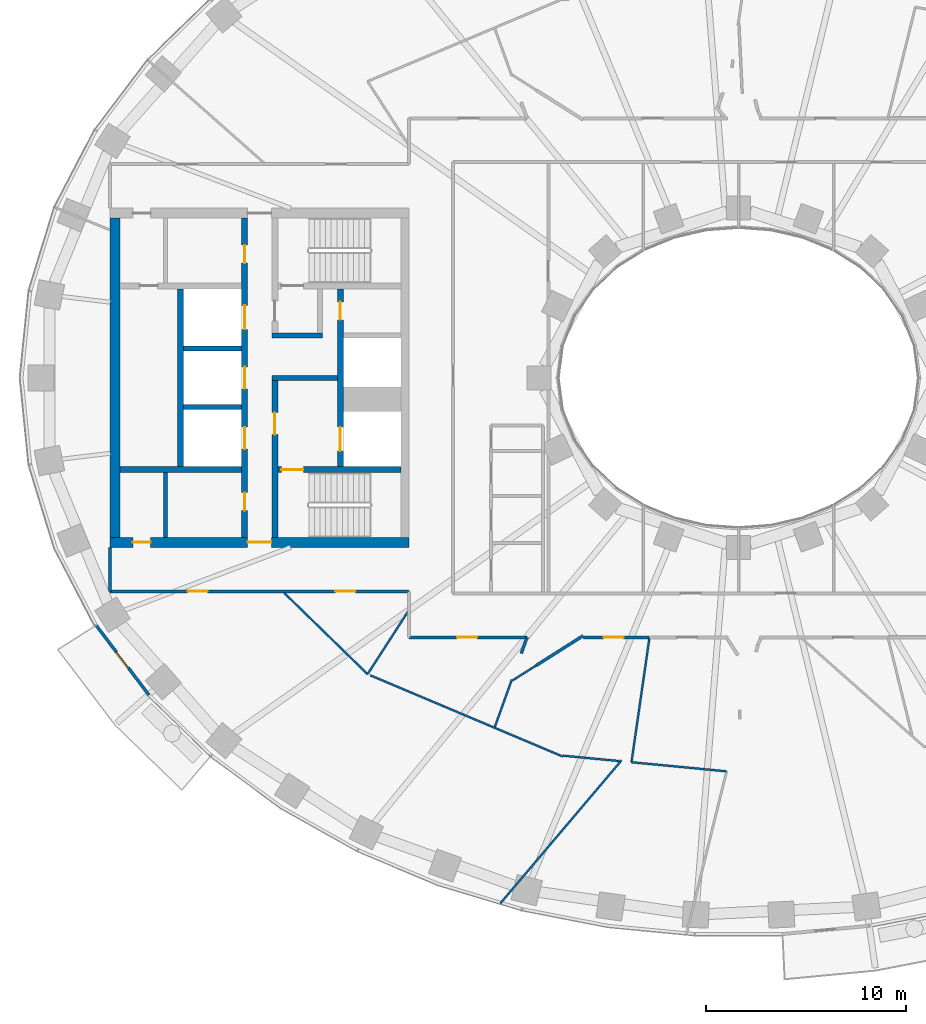
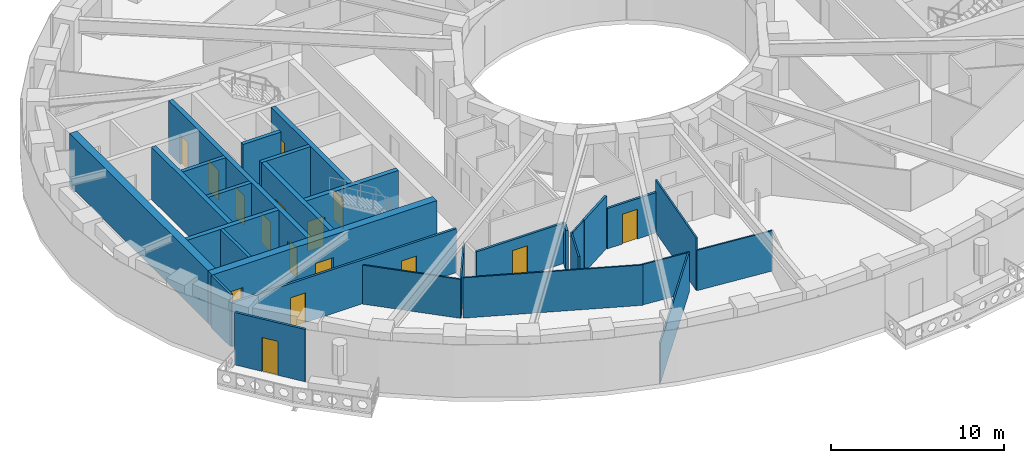
# One storey, part 3 of 16: 29 walls, 16 doors, 16 openings.
"""IFC4 building model written with IfcOpenShell, lengths in metres."""

from ifc_helpers import new_model, si_unit, direction, frame, frame_2d, origin, place, context, subcontext, project, spatial, rectangle, extrude, material, layer, layer_set, type_object, element, fill, save


model = new_model("IFC4")

# Units and contexts
model_context = context("Model", 3, precision=1e-05, world=origin(), true_north=direction((0.0, 1.0)))
body_context = subcontext(model_context, "Body", "Model", "MODEL_VIEW")
ifc_project = project(units=[si_unit("LENGTHUNIT", "METRE"), si_unit("AREAUNIT", "SQUARE_METRE"), si_unit("VOLUMEUNIT", "CUBIC_METRE"), si_unit("PLANEANGLEUNIT", "RADIAN"), si_unit("MASSUNIT", "GRAM", prefix="KILO")], contexts=[model_context])

# Site, building, storey
site_placement = place(None, origin())
site = spatial("IfcSite", under=ifc_project, at=site_placement, CompositionType="ELEMENT")
building_placement = place(site_placement, origin())
building = spatial("IfcBuilding", under=site, at=building_placement, Name="Noorbagh Ring Tower", CompositionType="ELEMENT")
storey_placement = place(building_placement, frame((0.0, 0.0, 96.0)))
storey = spatial("IfcBuildingStorey", under=building, at=storey_placement, Name="L21", CompositionType="ELEMENT", Elevation=96.0)

# Walls
ifc_material_1 = material(Name="Gypsum board on steel studs", Category="steel")
ifc_layer_1 = layer(ifc_material_1, 0.199951171875)
ifc_layer_set_1 = layer_set([ifc_layer_1], Name="Gypsum board on steel studs")
wall_type_1 = type_object("IfcWallType", Name="CORE-PARTITION-200", PredefinedType="PARTITIONING", material=ifc_layer_set_1)
wall_1_placement = place(storey_placement, frame((-28.699951171875, -8.0, 0.0), z_axis=(0.0, 0.0, 1.0), x_axis=(0.0, 1.0, 0.0)))
element("IfcWall", 1, at=wall_1_placement, inside=storey, type_object=wall_type_1, Name="Core partition W", PredefinedType="PARTITIONING", context=body_context, shape_type="SweptSolid", body=[
    extrude(rectangle(XDim=3.25, YDim=0.199951171875, at=frame_2d((1.625, 0.0))), origin(), (0.0, 0.0, 1.0), 3.699951171875),
])
ifc_material_2 = material(Name="Concrete C70/85", Category="concrete")
ifc_layer_2 = layer(ifc_material_2, 0.25)
ifc_layer_set_2 = layer_set([ifc_layer_2], Name="Concrete C70/85")
wall_type_2 = type_object("IfcWallType", Name="CORE-WALL-250-C70-85-EI120", PredefinedType="SHEAR", material=ifc_layer_set_2)
for number, where, z_axis, x_axis, name in (
    (2, (-24.89990234375, -1.47509765625, 0.0), (0.0, 0.0, 1.0), (-1.0, 0.0, 0.0), "Core wall W"),
    (3, (-24.89990234375, 1.47509765625, 0.0), (0.0, 0.0, 1.0), (-1.0, 0.0, 0.0), "Core wall W"),
):
    element("IfcWall", number, at=place(storey_placement, frame(where, z_axis=z_axis, x_axis=x_axis)), inside=storey, type_object=wall_type_2, Name=name, PredefinedType="SHEAR", context=body_context, shape_type="SweptSolid", body=[
        extrude(rectangle(XDim=2.900146484375, YDim=0.25, at=frame_2d((1.4501953125, 0.0))), origin(), (0.0, 0.0, 1.0), 3.699951171875),
    ])
ifc_material_3 = material(Name="Concrete C70/85", Category="concrete")
ifc_layer_3 = layer(ifc_material_3, 0.25)
ifc_layer_set_3 = layer_set([ifc_layer_3], Name="Concrete C70/85")
wall_type_3 = type_object("IfcWallType", Name="CORE-WALL-250-C70-85-EI240", PredefinedType="SHEAR", material=ifc_layer_set_3)
wall_2_placement = place(storey_placement, frame((-20.10009765625, 0.0, 0.0), z_axis=(0.0, 0.0, 1.0), x_axis=(-1.0, 0.0, 0.0)))
element("IfcWall", 4, at=wall_2_placement, inside=storey, type_object=wall_type_3, Name="Core wall W", PredefinedType="SHEAR", context=body_context, shape_type="SweptSolid", body=[
    extrude(rectangle(XDim=3.27978515625, YDim=0.25, at=frame_2d((1.639892578125, 0.0))), origin(), (0.0, 0.0, 1.0), 3.699951171875),
])
wall_3_placement = place(storey_placement, frame((-20.85009765625, 2.125, 0.0), z_axis=(0.0, 0.0, 1.0), x_axis=(-1.0, 0.0, 0.0)))
element("IfcWall", 5, at=wall_3_placement, inside=storey, type_object=wall_type_3, Name="Core wall W", PredefinedType="SHEAR", context=body_context, shape_type="SweptSolid", body=[
    extrude(rectangle(XDim=2.52978515625, YDim=0.25, at=frame_2d((1.264892578125, 0.0))), origin(), (0.0, 0.0, 1.0), 3.699951171875),
])
ifc_material_4 = material(Name="Concrete C70/85", Category="concrete")
ifc_layer_4 = layer(ifc_material_4, 0.300048828125)
ifc_layer_set_4 = layer_set([ifc_layer_4], Name="Concrete C70/85")
wall_type_4 = type_object("IfcWallType", Name="CORE-WALL-300-C70-85-EI120", PredefinedType="SHEAR", material=ifc_layer_set_4)
wall_4_placement = place(storey_placement, frame((-27.949951171875, -4.449951171875, 0.0), z_axis=(0.0, 0.0, 1.0), x_axis=(0.0, 1.0, 0.0)))
element("IfcWall", 6, at=wall_4_placement, inside=storey, type_object=wall_type_4, Name="Core wall W", PredefinedType="SHEAR", context=body_context, shape_type="SweptSolid", body=[
    extrude(rectangle(XDim=8.89990234375, YDim=0.300048828125, at=frame_2d((4.449951171875, 0.0))), origin(), (0.0, 0.0, 1.0), 3.699951171875),
])

# Wall, openings, doors
wall_5_placement = place(storey_placement, frame((-19.949951171875, -4.449951171875, 0.0), z_axis=(0.0, 0.0, 1.0), x_axis=(0.0, 1.0, 0.0)))
wall_5 = element("IfcWall", 7, at=wall_5_placement, inside=storey, type_object=wall_type_4, Name="Core wall W", PredefinedType="SHEAR", context=body_context, shape_type="SweptSolid", body=[
    extrude(rectangle(XDim=8.89990234375, YDim=0.300048828125, at=frame_2d((4.449951171875, 0.0))), origin(), (0.0, 0.0, 1.0), 3.699951171875),
])
opening_1_placement = place(wall_5_placement, frame((0.77490234375, 0.0, 0.0)))
opening_1 = element("IfcOpeningElement", 8, at=opening_1_placement, cuts=wall_5, Name="Opening L21-CW01", PredefinedType="OPENING", context=body_context, shape_type="SweptSolid", body=[
    extrude(rectangle(XDim=1.199951171875, YDim=2.10009765625, at=frame_2d((0.60009765625, 1.050048828125))), frame((0.0, 0.16015625, 0.0), z_axis=(0.0, -1.0, 0.0), x_axis=(1.0, 0.0, 0.0)), (0.0, 0.0, 1.0), 0.320068359375),
])
opening_2_placement = place(wall_5_placement, frame((7.35009765625, 0.0, 0.0)))
opening_2 = element("IfcOpeningElement", 9, at=opening_2_placement, cuts=wall_5, Name="Opening L21-CW11", PredefinedType="OPENING", context=body_context, shape_type="SweptSolid", body=[
    extrude(rectangle(XDim=0.89990234375, YDim=2.10009765625, at=frame_2d((0.449951171875, 1.050048828125))), frame((0.0, 0.16015625, 0.0), z_axis=(0.0, -1.0, 0.0), x_axis=(1.0, 0.0, 0.0)), (0.0, 0.0, 1.0), 0.320068359375),
])
ifc_material_5 = material(Name="Steel door leaf", Category="steel")
door_type_1 = type_object("IfcDoorType", Name="CORE-DOOR-DROOM", OperationType="SINGLE_SWING_LEFT", PredefinedType="DOOR", material=ifc_material_5)
door_1_placement = place(opening_2_placement, origin())
door_1 = element("IfcDoor", 10, at=door_1_placement, inside=storey, type_object=door_type_1, Name="Core room door L21-CW11", OperationType="SINGLE_SWING_LEFT", OverallHeight=2.10009765625, OverallWidth=0.89990234375, PredefinedType="DOOR", context=body_context, shape_type="SweptSolid", body=[
    extrude(rectangle(XDim=0.89990234375, YDim=2.10009765625, at=frame_2d((0.449951171875, 1.050048828125))), frame((0.0, 0.02490234375, 0.0), z_axis=(0.0, -1.0, 0.0), x_axis=(1.0, 0.0, 0.0)), (0.0, 0.0, 1.0), 0.050048828125),
])
fill(opening_2, door_1)
ifc_material_6 = material(Name="Steel door leaf", Category="steel")
door_type_2 = type_object("IfcDoorType", Name="CORE-DOOR-LDW", OperationType="DOUBLE_DOOR_SLIDING", PredefinedType="DOOR", material=ifc_material_6)
door_2_placement = place(opening_1_placement, origin())
door_2 = element("IfcDoor", 11, at=door_2_placement, inside=storey, type_object=door_type_2, Name="Landing door FF1 L21-CW01", OperationType="DOUBLE_DOOR_SLIDING", OverallHeight=2.10009765625, OverallWidth=1.199951171875, PredefinedType="DOOR", context=body_context, shape_type="SweptSolid", body=[
    extrude(rectangle(XDim=1.199951171875, YDim=2.10009765625, at=frame_2d((0.60009765625, 1.050048828125))), frame((0.0, 0.02490234375, 0.0), z_axis=(0.0, -1.0, 0.0), x_axis=(1.0, 0.0, 0.0)), (0.0, 0.0, 1.0), 0.050048828125),
])
fill(opening_1, door_2)

wall_6_placement = place(storey_placement, frame((-24.75, -8.0, 0.0), z_axis=(0.0, 0.0, 1.0), x_axis=(0.0, 1.0, 0.0)))
wall_6 = element("IfcWall", 12, at=wall_6_placement, inside=storey, type_object=wall_type_4, Name="Core wall W", PredefinedType="SHEAR", context=body_context, shape_type="SweptSolid", body=[
    extrude(rectangle(XDim=16.0, YDim=0.300048828125, at=frame_2d((8.0, 0.0))), origin(), (0.0, 0.0, 1.0), 3.699951171875),
])
opening_3_placement = place(wall_6_placement, frame((4.425048828125, 0.0, 0.0)))
opening_3 = element("IfcOpeningElement", 13, at=opening_3_placement, cuts=wall_6, Name="Opening L21-CW02", PredefinedType="OPENING", context=body_context, shape_type="SweptSolid", body=[
    extrude(rectangle(XDim=1.10009765625, YDim=2.10009765625, at=frame_2d((0.550048828125, 1.050048828125))), frame((0.0, 0.16015625, 0.0), z_axis=(0.0, -1.0, 0.0), x_axis=(1.0, 0.0, 0.0)), (0.0, 0.0, 1.0), 0.320068359375),
])
opening_4_placement = place(wall_6_placement, frame((7.449951171875, 0.0, 0.0)))
opening_4 = element("IfcOpeningElement", 14, at=opening_4_placement, cuts=wall_6, Name="Opening L21-CW03", PredefinedType="OPENING", context=body_context, shape_type="SweptSolid", body=[
    extrude(rectangle(XDim=1.10009765625, YDim=2.10009765625, at=frame_2d((0.550048828125, 1.050048828125))), frame((0.0, 0.16015625, 0.0), z_axis=(0.0, -1.0, 0.0), x_axis=(1.0, 0.0, 0.0)), (0.0, 0.0, 1.0), 0.320068359375),
])
opening_5_placement = place(wall_6_placement, frame((10.425048828125, 0.0, 0.0)))
opening_5 = element("IfcOpeningElement", 15, at=opening_5_placement, cuts=wall_6, Name="Opening L21-CW04", PredefinedType="OPENING", context=body_context, shape_type="SweptSolid", body=[
    extrude(rectangle(XDim=1.199951171875, YDim=2.10009765625, at=frame_2d((0.60009765625, 1.050048828125))), frame((0.0, 0.16015625, 0.0), z_axis=(0.0, -1.0, 0.0), x_axis=(1.0, 0.0, 0.0)), (0.0, 0.0, 1.0), 0.320068359375),
])
opening_6_placement = place(wall_6_placement, frame((13.75, 0.0, 0.0)))
opening_6 = element("IfcOpeningElement", 16, at=opening_6_placement, cuts=wall_6, Name="Opening L21-CW12", PredefinedType="OPENING", context=body_context, shape_type="SweptSolid", body=[
    extrude(rectangle(XDim=0.89990234375, YDim=2.10009765625, at=frame_2d((0.449951171875, 1.050048828125))), frame((0.0, 0.16015625, 0.0), z_axis=(0.0, -1.0, 0.0), x_axis=(1.0, 0.0, 0.0)), (0.0, 0.0, 1.0), 0.320068359375),
])
opening_7_placement = place(wall_6_placement, frame((1.35009765625, 0.0, 0.0)))
opening_7 = element("IfcOpeningElement", 17, at=opening_7_placement, cuts=wall_6, Name="Opening L21-CW14", PredefinedType="OPENING", context=body_context, shape_type="SweptSolid", body=[
    extrude(rectangle(XDim=0.89990234375, YDim=2.10009765625, at=frame_2d((0.449951171875, 1.050048828125))), frame((0.0, 0.16015625, 0.0), z_axis=(0.0, -1.0, 0.0), x_axis=(1.0, 0.0, 0.0)), (0.0, 0.0, 1.0), 0.320068359375),
])
door_3_placement = place(opening_6_placement, origin())
door_3 = element("IfcDoor", 18, at=door_3_placement, inside=storey, type_object=door_type_1, Name="Core room door L21-CW12", OperationType="SINGLE_SWING_RIGHT", OverallHeight=2.10009765625, OverallWidth=0.89990234375, PredefinedType="DOOR", context=body_context, shape_type="SweptSolid", body=[
    extrude(rectangle(XDim=0.89990234375, YDim=2.10009765625, at=frame_2d((0.449951171875, 1.050048828125))), frame((0.0, 0.02490234375, 0.0), z_axis=(0.0, -1.0, 0.0), x_axis=(1.0, 0.0, 0.0)), (0.0, 0.0, 1.0), 0.050048828125),
])
fill(opening_6, door_3)
door_4_placement = place(opening_7_placement, origin())
door_4 = element("IfcDoor", 19, at=door_4_placement, inside=storey, type_object=door_type_1, Name="Core room door L21-CW14", OperationType="SINGLE_SWING_LEFT", OverallHeight=2.10009765625, OverallWidth=0.89990234375, PredefinedType="DOOR", context=body_context, shape_type="SweptSolid", body=[
    extrude(rectangle(XDim=0.89990234375, YDim=2.10009765625, at=frame_2d((0.449951171875, 1.050048828125))), frame((0.0, 0.02490234375, 0.0), z_axis=(0.0, -1.0, 0.0), x_axis=(1.0, 0.0, 0.0)), (0.0, 0.0, 1.0), 0.050048828125),
])
fill(opening_7, door_4)
ifc_material_7 = material(Name="Steel door leaf", Category="steel")
door_type_3 = type_object("IfcDoorType", Name="CORE-DOOR-LD", OperationType="DOUBLE_DOOR_SLIDING", PredefinedType="DOOR", material=ifc_material_7)
door_5_placement = place(opening_3_placement, origin())
door_5 = element("IfcDoor", 20, at=door_5_placement, inside=storey, type_object=door_type_3, Name="Landing door LR1 L21-CW02", OperationType="DOUBLE_DOOR_SLIDING", OverallHeight=2.10009765625, OverallWidth=1.10009765625, PredefinedType="DOOR", context=body_context, shape_type="SweptSolid", body=[
    extrude(rectangle(XDim=1.10009765625, YDim=2.10009765625, at=frame_2d((0.550048828125, 1.050048828125))), frame((0.0, 0.02490234375, 0.0), z_axis=(0.0, -1.0, 0.0), x_axis=(1.0, 0.0, 0.0)), (0.0, 0.0, 1.0), 0.050048828125),
])
fill(opening_3, door_5)
door_6_placement = place(opening_4_placement, origin())
door_6 = element("IfcDoor", 21, at=door_6_placement, inside=storey, type_object=door_type_3, Name="Landing door LR2 L21-CW03", OperationType="DOUBLE_DOOR_SLIDING", OverallHeight=2.10009765625, OverallWidth=1.10009765625, PredefinedType="DOOR", context=body_context, shape_type="SweptSolid", body=[
    extrude(rectangle(XDim=1.10009765625, YDim=2.10009765625, at=frame_2d((0.550048828125, 1.050048828125))), frame((0.0, 0.02490234375, 0.0), z_axis=(0.0, -1.0, 0.0), x_axis=(1.0, 0.0, 0.0)), (0.0, 0.0, 1.0), 0.050048828125),
])
fill(opening_4, door_6)
door_7_placement = place(opening_5_placement, origin())
door_7 = element("IfcDoor", 22, at=door_7_placement, inside=storey, type_object=door_type_2, Name="Landing door SV1 L21-CW04", OperationType="DOUBLE_DOOR_SLIDING", OverallHeight=2.10009765625, OverallWidth=1.199951171875, PredefinedType="DOOR", context=body_context, shape_type="SweptSolid", body=[
    extrude(rectangle(XDim=1.199951171875, YDim=2.10009765625, at=frame_2d((0.60009765625, 1.050048828125))), frame((0.0, 0.02490234375, 0.0), z_axis=(0.0, -1.0, 0.0), x_axis=(1.0, 0.0, 0.0)), (0.0, 0.0, 1.0), 0.050048828125),
])
fill(opening_5, door_7)

# Wall
ifc_material_8 = material(Name="Concrete C70/85", Category="concrete")
ifc_layer_5 = layer(ifc_material_8, 0.300048828125)
ifc_layer_set_5 = layer_set([ifc_layer_5], Name="Concrete C70/85")
wall_type_5 = type_object("IfcWallType", Name="CORE-WALL-300-C70-85-EI240", PredefinedType="SHEAR", material=ifc_layer_set_5)
wall_7_placement = place(storey_placement, frame((-24.89990234375, -4.60009765625, 0.0), z_axis=(0.0, 0.0, 1.0), x_axis=(-1.0, 0.0, 0.0)))
element("IfcWall", 23, at=wall_7_placement, inside=storey, type_object=wall_type_5, Name="Core wall W", PredefinedType="SHEAR", context=body_context, shape_type="SweptSolid", body=[
    extrude(rectangle(XDim=6.10009765625, YDim=0.300048828125, at=frame_2d((3.050048828125, 0.0))), origin(), (0.0, 0.0, 1.0), 3.699951171875),
])

# Wall, opening, door
wall_8_placement = place(storey_placement, frame((-23.22998046875, -8.0, 0.0), z_axis=(0.0, 0.0, 1.0), x_axis=(0.0, 1.0, 0.0)))
wall_8 = element("IfcWall", 24, at=wall_8_placement, inside=storey, type_object=wall_type_5, Name="Core wall W", PredefinedType="SHEAR", context=body_context, shape_type="SweptSolid", body=[
    extrude(rectangle(XDim=7.875, YDim=0.300048828125, at=frame_2d((3.9375, 0.0))), origin(), (0.0, 0.0, 1.0), 3.699951171875),
])
opening_8_placement = place(wall_8_placement, frame((5.14990234375, 0.0, 0.0)))
opening_8 = element("IfcOpeningElement", 25, at=opening_8_placement, cuts=wall_8, Name="Opening L21-CW07", PredefinedType="OPENING", context=body_context, shape_type="SweptSolid", body=[
    extrude(rectangle(XDim=1.10009765625, YDim=2.10009765625, at=frame_2d((0.550048828125, 1.050048828125))), frame((0.0, 0.16015625, 0.0), z_axis=(0.0, -1.0, 0.0), x_axis=(1.0, 0.0, 0.0)), (0.0, 0.0, 1.0), 0.320068359375),
])
ifc_material_9 = material(Name="Steel door leaf", Category="steel")
door_type_4 = type_object("IfcDoorType", Name="CORE-DOOR-DFF", OperationType="SINGLE_SWING_LEFT", PredefinedType="DOOR", material=ifc_material_9)
door_8_placement = place(opening_8_placement, origin())
door_8 = element("IfcDoor", 26, at=door_8_placement, inside=storey, type_object=door_type_4, Name="Firefighting lobby door L21-CW07", OperationType="SINGLE_SWING_LEFT", OverallHeight=2.10009765625, OverallWidth=1.10009765625, PredefinedType="DOOR", context=body_context, shape_type="SweptSolid", body=[
    extrude(rectangle(XDim=1.10009765625, YDim=2.10009765625, at=frame_2d((0.550048828125, 1.050048828125))), frame((0.0, 0.02490234375, 0.0), z_axis=(0.0, -1.0, 0.0), x_axis=(1.0, 0.0, 0.0)), (0.0, 0.0, 1.0), 0.050048828125),
])
fill(opening_8, door_8)

wall_9_placement = place(storey_placement, frame((-16.89990234375, -4.60009765625, 0.0), z_axis=(0.0, 0.0, 1.0), x_axis=(-1.0, 0.0, 0.0)))
wall_9 = element("IfcWall", 27, at=wall_9_placement, inside=storey, type_object=wall_type_5, Name="Core wall W", PredefinedType="SHEAR", context=body_context, shape_type="SweptSolid", body=[
    extrude(rectangle(XDim=6.18017578125, YDim=0.300048828125, at=frame_2d((3.090087890625, 0.0))), origin(), (0.0, 0.0, 1.0), 3.699951171875),
])
opening_9_placement = place(wall_9_placement, frame((4.89990234375, 0.0, 0.0)))
opening_9 = element("IfcOpeningElement", 28, at=opening_9_placement, cuts=wall_9, Name="Opening L21-CW06", PredefinedType="OPENING", context=body_context, shape_type="SweptSolid", body=[
    extrude(rectangle(XDim=1.10009765625, YDim=2.10009765625, at=frame_2d((0.550048828125, 1.050048828125))), frame((0.0, 0.16015625, 0.0), z_axis=(0.0, -1.0, 0.0), x_axis=(1.0, 0.0, 0.0)), (0.0, 0.0, 1.0), 0.320068359375),
])
ifc_material_10 = material(Name="Steel door leaf", Category="steel")
door_type_5 = type_object("IfcDoorType", Name="CORE-DOOR-DSTAIR", OperationType="SINGLE_SWING_LEFT", PredefinedType="DOOR", material=ifc_material_10)
door_9_placement = place(opening_9_placement, origin())
door_9 = element("IfcDoor", 29, at=door_9_placement, inside=storey, type_object=door_type_5, Name="Stair door ST2 L21-CW06", OperationType="SINGLE_SWING_LEFT", OverallHeight=2.10009765625, OverallWidth=1.10009765625, PredefinedType="DOOR", context=body_context, shape_type="SweptSolid", body=[
    extrude(rectangle(XDim=1.10009765625, YDim=2.10009765625, at=frame_2d((0.550048828125, 1.050048828125))), frame((0.0, 0.02490234375, 0.0), z_axis=(0.0, -1.0, 0.0), x_axis=(1.0, 0.0, 0.0)), (0.0, 0.0, 1.0), 0.050048828125),
])
fill(opening_9, door_9)

# Wall, openings, doors
ifc_material_11 = material(Name="Concrete C70/85", Category="concrete")
ifc_layer_6 = layer(ifc_material_11, 0.5)
ifc_layer_set_6 = layer_set([ifc_layer_6], Name="Concrete C70/85")
wall_type_6 = type_object("IfcWallType", Name="CORE-WALL-500-C70-85-EI240", PredefinedType="SHEAR", material=ifc_layer_set_6)
wall_10_placement = place(storey_placement, frame((-16.5, -8.25, 0.0), z_axis=(0.0, 0.0, 1.0), x_axis=(-1.0, 0.0, 0.0)))
wall_10 = element("IfcWall", 30, at=wall_10_placement, inside=storey, type_object=wall_type_6, Name="Core wall W", PredefinedType="SHEAR", context=body_context, shape_type="SweptSolid", body=[
    extrude(rectangle(XDim=15.0, YDim=0.5, at=frame_2d((7.5, 0.0))), origin(), (0.0, 0.0, 1.0), 3.699951171875),
])
opening_10_placement = place(wall_10_placement, frame((6.89990234375, 0.0, 0.0)))
opening_10 = element("IfcOpeningElement", 31, at=opening_10_placement, cuts=wall_10, Name="Opening L21-CW10", PredefinedType="OPENING", context=body_context, shape_type="SweptSolid", body=[
    extrude(rectangle(XDim=1.199951171875, YDim=2.10009765625, at=frame_2d((0.60009765625, 1.050048828125))), frame((0.0, 0.260009765625, 0.0), z_axis=(0.0, -1.0, 0.0), x_axis=(1.0, 0.0, 0.0)), (0.0, 0.0, 1.0), 0.52001953125),
])
opening_11_placement = place(wall_10_placement, frame((12.949951171875, 0.0, 0.0)))
opening_11 = element("IfcOpeningElement", 32, at=opening_11_placement, cuts=wall_10, Name="Opening L21-CW15", PredefinedType="OPENING", context=body_context, shape_type="SweptSolid", body=[
    extrude(rectangle(XDim=0.89990234375, YDim=2.10009765625, at=frame_2d((0.449951171875, 1.050048828125))), frame((0.0, 0.260009765625, 0.0), z_axis=(0.0, -1.0, 0.0), x_axis=(1.0, 0.0, 0.0)), (0.0, 0.0, 1.0), 0.52001953125),
])
door_10_placement = place(opening_11_placement, origin())
door_10 = element("IfcDoor", 33, at=door_10_placement, inside=storey, type_object=door_type_1, Name="Core room door L21-CW15", OperationType="SINGLE_SWING_LEFT", OverallHeight=2.10009765625, OverallWidth=0.89990234375, PredefinedType="DOOR", context=body_context, shape_type="SweptSolid", body=[
    extrude(rectangle(XDim=0.89990234375, YDim=2.10009765625, at=frame_2d((0.449951171875, 1.050048828125))), frame((0.0, 0.02490234375, 0.0), z_axis=(0.0, -1.0, 0.0), x_axis=(1.0, 0.0, 0.0)), (0.0, 0.0, 1.0), 0.050048828125),
])
fill(opening_11, door_10)
ifc_material_12 = material(Name="Steel door leaf", Category="steel")
door_type_6 = type_object("IfcDoorType", Name="CORE-DOOR-PORT", OperationType="DOUBLE_DOOR_DOUBLE_SWING", PredefinedType="DOOR", material=ifc_material_12)
door_11_placement = place(opening_10_placement, origin())
door_11 = element("IfcDoor", 34, at=door_11_placement, inside=storey, type_object=door_type_6, Name="Core entrance door L21-CW10", OperationType="DOUBLE_DOOR_DOUBLE_SWING", OverallHeight=2.10009765625, OverallWidth=1.199951171875, PredefinedType="DOOR", context=body_context, shape_type="SweptSolid", body=[
    extrude(rectangle(XDim=1.199951171875, YDim=2.10009765625, at=frame_2d((0.60009765625, 1.050048828125))), frame((0.0, 0.02490234375, 0.0), z_axis=(0.0, -1.0, 0.0), x_axis=(1.0, 0.0, 0.0)), (0.0, 0.0, 1.0), 0.050048828125),
])
fill(opening_10, door_11)

# Walls
wall_11_placement = place(storey_placement, frame((-31.25, -8.0, 0.0), z_axis=(0.0, 0.0, 1.0), x_axis=(0.0, 1.0, 0.0)))
element("IfcWall", 35, at=wall_11_placement, inside=storey, type_object=wall_type_6, Name="Core wall W", PredefinedType="SHEAR", context=body_context, shape_type="SweptSolid", body=[
    extrude(rectangle(XDim=16.0, YDim=0.5, at=frame_2d((8.0, 0.0))), origin(), (0.0, 0.0, 1.0), 3.699951171875),
])
ifc_material_13 = material(Name="Gypsum board on steel studs", Category="steel")
ifc_layer_7 = layer(ifc_material_13, 0.14990234375)
ifc_layer_set_7 = layer_set([ifc_layer_7], Name="Gypsum board on steel studs")
wall_type_7 = type_object("IfcWallType", Name="CORRIDOR PARTITION 150 EI 30", PredefinedType="PARTITIONING", material=ifc_layer_set_7)
wall_12_placement = place(storey_placement, frame((-31.5, -10.699951171875, 0.0), z_axis=(0.0, 0.0, 1.0), x_axis=(0.0, 1.0, 0.0)))
element("IfcWall", 36, at=wall_12_placement, inside=storey, type_object=wall_type_7, Name="L21/wall/P02", PredefinedType="PARTITIONING", context=body_context, shape_type="SweptSolid", body=[
    extrude(rectangle(XDim=2.199951171875, YDim=0.14990234375, at=frame_2d((1.10009765625, 0.0))), origin(), (0.0, 0.0, 1.0), 3.699951171875),
])

# Wall, openings, doors
wall_13_placement = place(storey_placement, frame((-31.5, -10.699951171875, 0.0), z_axis=(0.0, 0.0, 1.0), x_axis=(1.0, 0.0, 0.0)))
wall_13 = element("IfcWall", 37, at=wall_13_placement, inside=storey, type_object=wall_type_7, Name="L21/wall/P03", PredefinedType="PARTITIONING", context=body_context, shape_type="SweptSolid", body=[
    extrude(rectangle(XDim=15.0, YDim=0.14990234375, at=frame_2d((7.5, 0.0))), origin(), (0.0, 0.0, 1.0), 3.10009765625),
])
opening_12_placement = place(wall_13_placement, frame((3.89990234375, 0.0, 0.0)))
opening_12 = element("IfcOpeningElement", 38, at=opening_12_placement, cuts=wall_13, Name="Opening D1", PredefinedType="OPENING", context=body_context, shape_type="SweptSolid", body=[
    extrude(rectangle(XDim=1.0, YDim=2.10009765625, at=frame_2d((0.5, 1.050048828125))), frame((0.0, 0.0849609375, 0.0), z_axis=(0.0, -1.0, 0.0), x_axis=(1.0, 0.0, 0.0)), (0.0, 0.0, 1.0), 0.169921875),
])
opening_13_placement = place(wall_13_placement, frame((11.304931640625, 0.0, 0.0)))
opening_13 = element("IfcOpeningElement", 39, at=opening_13_placement, cuts=wall_13, Name="Opening D1", PredefinedType="OPENING", context=body_context, shape_type="SweptSolid", body=[
    extrude(rectangle(XDim=1.0, YDim=2.10009765625, at=frame_2d((0.5, 1.050048828125))), frame((0.0, 0.0849609375, 0.0), z_axis=(0.0, -1.0, 0.0), x_axis=(1.0, 0.0, 0.0)), (0.0, 0.0, 1.0), 0.169921875),
])
ifc_material_14 = material(Name="Timber, painted", Category="wood")
door_type_7 = type_object("IfcDoorType", Name="DOOR 1000 X 2100 FD30", OperationType="SINGLE_SWING_LEFT", PredefinedType="DOOR", material=ifc_material_14)
door_12_placement = place(opening_12_placement, origin())
door_12 = element("IfcDoor", 40, at=door_12_placement, inside=storey, type_object=door_type_7, Name="L21-D06", OperationType="SINGLE_SWING_RIGHT", OverallHeight=2.10009765625, OverallWidth=1.0, PredefinedType="DOOR", context=body_context, shape_type="SweptSolid", body=[
    extrude(rectangle(XDim=1.0, YDim=2.10009765625, at=frame_2d((0.5, 1.050048828125))), frame((0.0, 0.02490234375, 0.0), z_axis=(0.0, -1.0, 0.0), x_axis=(1.0, 0.0, 0.0)), (0.0, 0.0, 1.0), 0.050048828125),
])
fill(opening_12, door_12)
door_13_placement = place(opening_13_placement, origin())
door_13 = element("IfcDoor", 41, at=door_13_placement, inside=storey, type_object=door_type_7, Name="L21-D08", OperationType="SINGLE_SWING_RIGHT", OverallHeight=2.10009765625, OverallWidth=1.0, PredefinedType="DOOR", context=body_context, shape_type="SweptSolid", body=[
    extrude(rectangle(XDim=1.0, YDim=2.10009765625, at=frame_2d((0.5, 1.050048828125))), frame((0.0, 0.02490234375, 0.0), z_axis=(0.0, -1.0, 0.0), x_axis=(1.0, 0.0, 0.0)), (0.0, 0.0, 1.0), 0.050048828125),
])
fill(opening_13, door_13)

# Wall, opening, door
wall_14_placement = place(storey_placement, frame((-16.5, -13.0, 0.0), z_axis=(0.0, 0.0, 1.0), x_axis=(1.0, 0.0, 0.0)))
wall_14 = element("IfcWall", 42, at=wall_14_placement, inside=storey, type_object=wall_type_7, Name="L21/wall/P13", PredefinedType="PARTITIONING", context=body_context, shape_type="SweptSolid", body=[
    extrude(rectangle(XDim=5.89306640625, YDim=0.14990234375, at=frame_2d((2.946533203125, 0.0))), origin(), (0.0, 0.0, 1.0), 2.85009765625),
])
opening_14_placement = place(wall_14_placement, frame((2.39990234375, 0.0, 0.0)))
opening_14 = element("IfcOpeningElement", 43, at=opening_14_placement, cuts=wall_14, Name="Opening D1", PredefinedType="OPENING", context=body_context, shape_type="SweptSolid", body=[
    extrude(rectangle(XDim=1.0, YDim=2.10009765625, at=frame_2d((0.5, 1.050048828125))), frame((0.0, 0.0849609375, 0.0), z_axis=(0.0, -1.0, 0.0), x_axis=(1.0, 0.0, 0.0)), (0.0, 0.0, 1.0), 0.169921875),
])
door_14_placement = place(opening_14_placement, origin())
door_14 = element("IfcDoor", 44, at=door_14_placement, inside=storey, type_object=door_type_7, Name="L21-D10", OperationType="SINGLE_SWING_RIGHT", OverallHeight=2.10009765625, OverallWidth=1.0, PredefinedType="DOOR", context=body_context, shape_type="SweptSolid", body=[
    extrude(rectangle(XDim=1.0, YDim=2.10009765625, at=frame_2d((0.5, 1.050048828125))), frame((0.0, 0.02490234375, 0.0), z_axis=(0.0, -1.0, 0.0), x_axis=(1.0, 0.0, 0.0)), (0.0, 0.0, 1.0), 0.050048828125),
])
fill(opening_14, door_14)

# Walls
wall_15_placement = place(storey_placement, frame((-10.887939453125, -13.81396484375, 0.0), z_axis=(0.0, 0.0, 1.0), x_axis=(0.338659506624, 0.940908995904, 0.0)))
element("IfcWall", 45, at=wall_15_placement, inside=storey, type_object=wall_type_7, Name="L21/wall/P30", PredefinedType="PARTITIONING", context=body_context, shape_type="SweptSolid", body=[
    extrude(rectangle(XDim=0.864990234375, YDim=0.14990234375, at=frame_2d((0.4326171875, 0.0))), origin(), (0.0, 0.0, 1.0), 2.85009765625),
])
wall_16_placement = place(storey_placement, frame((-10.136962890625, -14.4130859375, 0.0), z_axis=(0.0, 0.0, 1.0), x_axis=(0.844666662568, 0.535292657475, 0.0)))
element("IfcWall", 46, at=wall_16_placement, inside=storey, type_object=wall_type_7, Name="L21/wall/P32", PredefinedType="PARTITIONING", context=body_context, shape_type="SweptSolid", body=[
    extrude(rectangle(XDim=2.776123046875, YDim=0.14990234375, at=frame_2d((1.38818359375, 0.0))), origin(), (0.0, 0.0, 1.0), 3.699951171875),
])

# Wall, opening, door
wall_17_placement = place(storey_placement, frame((-7.76708984375, -13.0, 0.0), z_axis=(0.0, 0.0, 1.0), x_axis=(1.0, 0.0, 0.0)))
wall_17 = element("IfcWall", 47, at=wall_17_placement, inside=storey, type_object=wall_type_7, Name="L21/wall/P39", PredefinedType="PARTITIONING", context=body_context, shape_type="SweptSolid", body=[
    extrude(rectangle(XDim=3.2880859375, YDim=0.14990234375, at=frame_2d((1.64404296875, 0.0))), origin(), (0.0, 0.0, 1.0), 2.85009765625),
])
opening_15_placement = place(wall_17_placement, frame((1.010009765625, 0.0, 0.0)))
opening_15 = element("IfcOpeningElement", 48, at=opening_15_placement, cuts=wall_17, Name="Opening D1", PredefinedType="OPENING", context=body_context, shape_type="SweptSolid", body=[
    extrude(rectangle(XDim=1.0, YDim=2.10009765625, at=frame_2d((0.5, 1.050048828125))), frame((0.0, 0.0849609375, 0.0), z_axis=(0.0, -1.0, 0.0), x_axis=(1.0, 0.0, 0.0)), (0.0, 0.0, 1.0), 0.169921875),
])
door_15_placement = place(opening_15_placement, origin())
door_15 = element("IfcDoor", 49, at=door_15_placement, inside=storey, type_object=door_type_7, Name="L21-D12", OperationType="SINGLE_SWING_RIGHT", OverallHeight=2.10009765625, OverallWidth=1.0, PredefinedType="DOOR", context=body_context, shape_type="SweptSolid", body=[
    extrude(rectangle(XDim=1.0, YDim=2.10009765625, at=frame_2d((0.5, 1.050048828125))), frame((0.0, 0.02490234375, 0.0), z_axis=(0.0, -1.0, 0.0), x_axis=(1.0, 0.0, 0.0)), (0.0, 0.0, 1.0), 0.050048828125),
])
fill(opening_15, door_15)

ifc_material_15 = material(Name="Insulated aluminium clad panel", Category="aluminium")
ifc_layer_8 = layer(ifc_material_15, 0.14990234375)
ifc_layer_set_8 = layer_set([ifc_layer_8], Name="Insulated aluminium clad panel")
wall_type_8 = type_object("IfcWallType", Name="ENV-WALL-DOOR", PredefinedType="STANDARD", material=ifc_layer_set_8)
wall_18_placement = place(storey_placement, frame((-32.20751953125, -12.37353515625, 0.0), z_axis=(0.0, 0.0, 1.0), x_axis=(0.604045763106, -0.796949632081, 0.0)))
wall_18 = element("IfcWall", 50, at=wall_18_placement, inside=storey, type_object=wall_type_8, Name="Balcony door wall chord 27", PredefinedType="STANDARD", context=body_context, shape_type="SweptSolid", body=[
    extrude(rectangle(XDim=4.42333984375, YDim=0.14990234375, at=frame_2d((2.211669921875, 0.0))), origin(), (0.0, 0.0, 1.0), 3.699951171875),
])
opening_16_placement = place(wall_18_placement, frame((1.711669921875, 0.0, 0.0)))
opening_16 = element("IfcOpeningElement", 51, at=opening_16_placement, cuts=wall_18, Name="Opening D-BL", PredefinedType="OPENING", context=body_context, shape_type="SweptSolid", body=[
    extrude(rectangle(XDim=1.0, YDim=2.39990234375, at=frame_2d((0.5, 1.199951171875))), frame((0.0, 0.0849609375, 0.0), z_axis=(0.0, -1.0, 0.0), x_axis=(1.0, 0.0, 0.0)), (0.0, 0.0, 1.0), 0.169921875),
])
ifc_material_16 = material(Name="Aluminium and glass", Category="aluminium")
door_type_8 = type_object("IfcDoorType", Name="ENV-DOOR-BALCONY", OperationType="SINGLE_SWING_LEFT", PredefinedType="DOOR", material=ifc_material_16)
door_16_placement = place(opening_16_placement, origin())
door_16 = element("IfcDoor", 52, at=door_16_placement, inside=storey, type_object=door_type_8, Name="Balcony door chord 27", OperationType="SINGLE_SWING_RIGHT", OverallHeight=2.39990234375, OverallWidth=1.0, PredefinedType="DOOR", context=body_context, shape_type="SweptSolid", body=[
    extrude(rectangle(XDim=1.0, YDim=2.39990234375, at=frame_2d((0.5, 1.199951171875))), frame((0.0, 0.02490234375, 0.0), z_axis=(0.0, -1.0, 0.0), x_axis=(1.0, 0.0, 0.0)), (0.0, 0.0, 1.0), 0.050048828125),
])
fill(opening_16, door_16)

# Walls
ifc_material_17 = material(Name="Gypsum board on steel studs", Category="steel")
ifc_layer_9 = layer(ifc_material_17, 0.10009765625)
ifc_layer_set_9 = layer_set([ifc_layer_9], Name="Gypsum board on steel studs")
wall_type_9 = type_object("IfcWallType", Name="PARTITION 100 GYPSUM", PredefinedType="PARTITIONING", material=ifc_layer_set_9)
wall_19_placement = place(storey_placement, frame((-22.764892578125, -10.778076171875, 0.0), z_axis=(0.0, 0.0, 1.0), x_axis=(0.716294479598, -0.697798121592, 0.0)))
element("IfcWall", 53, at=wall_19_placement, inside=storey, type_object=wall_type_9, Name="L21/wall/P07", PredefinedType="PARTITIONING", context=body_context, shape_type="SweptSolid", body=[
    extrude(rectangle(XDim=5.834228515625, YDim=0.10009765625, at=frame_2d((2.9169921875, 0.0))), origin(), (0.0, 0.0, 1.0), 2.75),
])
wall_20_placement = place(storey_placement, frame((-18.5859375, -14.84912109375, 0.0), z_axis=(0.0, 0.0, 1.0), x_axis=(0.542227325377, 0.840231829684, 0.0)))
element("IfcWall", 54, at=wall_20_placement, inside=storey, type_object=wall_type_9, Name="L21/wall/P08", PredefinedType="PARTITIONING", context=body_context, shape_type="SweptSolid", body=[
    extrude(rectangle(XDim=3.708740234375, YDim=0.10009765625, at=frame_2d((1.8544921875, 0.0))), origin(), (0.0, 0.0, 1.0), 2.75),
])
wall_21_placement = place(storey_placement, frame((-18.4599609375, -14.902099609375, 0.0), z_axis=(0.0, 0.0, 1.0), x_axis=(0.921302833786, -0.388845841508, 0.0)))
element("IfcWall", 55, at=wall_21_placement, inside=storey, type_object=wall_type_9, Name="L21/wall/P09", PredefinedType="PARTITIONING", context=body_context, shape_type="SweptSolid", body=[
    extrude(rectangle(XDim=10.47216796875, YDim=0.10009765625, at=frame_2d((5.236083984375, 0.0))), origin(), (0.0, 0.0, 1.0), 2.85009765625),
])
wall_22_placement = place(storey_placement, frame((-12.208984375, -17.486083984375, 0.0), z_axis=(0.0, 0.0, 1.0), x_axis=(0.338698771758, 0.940894862357, 0.0)))
element("IfcWall", 56, at=wall_22_placement, inside=storey, type_object=wall_type_9, Name="L21/wall/P25", PredefinedType="PARTITIONING", context=body_context, shape_type="SweptSolid", body=[
    extrude(rectangle(XDim=2.50634765625, YDim=0.10009765625, at=frame_2d((1.253173828125, 0.0))), origin(), (0.0, 0.0, 1.0), 3.699951171875),
])
wall_23_placement = place(storey_placement, frame((-11.925048828125, -26.322998046875, 0.0), z_axis=(0.0, 0.0, 1.0), x_axis=(0.646476265577, 0.762934098101, 0.0)))
element("IfcWall", 57, at=wall_23_placement, inside=storey, type_object=wall_type_9, Name="L21/wall/P27", PredefinedType="PARTITIONING", context=body_context, shape_type="SweptSolid", body=[
    extrude(rectangle(XDim=9.383544921875, YDim=0.10009765625, at=frame_2d((4.69189453125, 0.0))), origin(), (0.0, 0.0, 1.0), 2.85009765625),
])
wall_24_placement = place(storey_placement, frame((-11.319091796875, -15.160888671875, 0.0), z_axis=(0.0, 0.0, 1.0), x_axis=(0.845102975348, 0.534603555037, 0.0)))
element("IfcWall", 58, at=wall_24_placement, inside=storey, type_object=wall_type_9, Name="L21/wall/P28", PredefinedType="PARTITIONING", context=body_context, shape_type="SweptSolid", body=[
    extrude(rectangle(XDim=1.398681640625, YDim=0.10009765625, at=frame_2d((0.69921875, 0.0))), origin(), (0.0, 0.0, 1.0), 3.699951171875),
])
wall_25_placement = place(storey_placement, frame((-8.802001953125, -18.931884765625, 0.0), z_axis=(0.0, 0.0, 1.0), x_axis=(0.995447320833, -0.095313332995, 0.0)))
element("IfcWall", 59, at=wall_25_placement, inside=storey, type_object=wall_type_9, Name="L21/wall/P37", PredefinedType="PARTITIONING", context=body_context, shape_type="SweptSolid", body=[
    extrude(rectangle(XDim=2.85595703125, YDim=0.10009765625, at=frame_2d((1.427978515625, 0.0))), origin(), (0.0, 0.0, 1.0), 2.85009765625),
])
wall_26_placement = place(storey_placement, frame((-5.364013671875, -19.260986328125, 0.0), z_axis=(0.0, 0.0, 1.0), x_axis=(0.142999851524, 0.989722709886, 0.0)))
element("IfcWall", 60, at=wall_26_placement, inside=storey, type_object=wall_type_9, Name="L21/wall/P41", PredefinedType="PARTITIONING", context=body_context, shape_type="SweptSolid", body=[
    extrude(rectangle(XDim=6.322021484375, YDim=0.10009765625, at=frame_2d((3.1611328125, 0.0))), origin(), (0.0, 0.0, 1.0), 3.699951171875),
])
wall_27_placement = place(storey_placement, frame((-5.364013671875, -19.260986328125, 0.0), z_axis=(0.0, 0.0, 1.0), x_axis=(0.995431522243, -0.09547818874, 0.0)))
element("IfcWall", 61, at=wall_27_placement, inside=storey, type_object=wall_type_9, Name="L21/wall/P42", PredefinedType="PARTITIONING", context=body_context, shape_type="SweptSolid", body=[
    extrude(rectangle(XDim=4.786865234375, YDim=0.10009765625, at=frame_2d((2.3935546875, 0.0))), origin(), (0.0, 0.0, 1.0), 2.85009765625),
])

save(model, "model.ifc")
